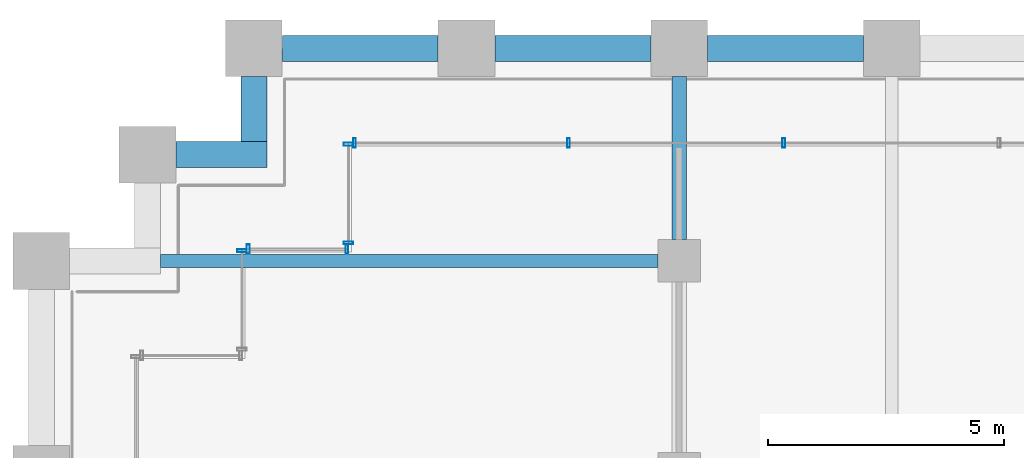
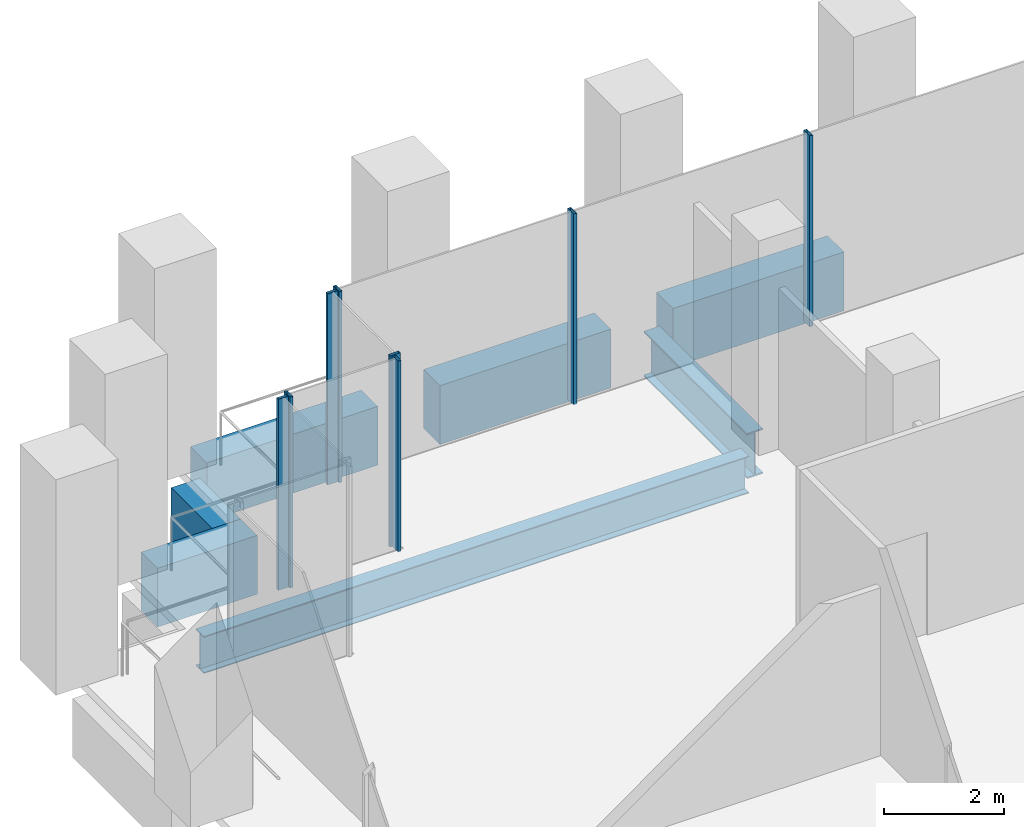
# One storey, part 14 of 36: 8 members, 7 beams, 4 elements without a shape of their own.
"""IFC4 building model written with IfcOpenShell, lengths in metres."""

from ifc_helpers import new_model, si_unit, direction, frame, origin, origin_2d, place, context, subcontext, project, spatial, rectangle, hollow_rectangle, i_section, extrude, material, material_profile, profile_set, type_object, element, aggregate, save


model = new_model("IFC4")

# Units and contexts
model_context = context("Model", 3, precision=1e-05, world=origin(), true_north=direction((0.0, 1.0)))
body_context = subcontext(model_context, "Body", "Model", "MODEL_VIEW")
ifc_project = project(units=[si_unit("LENGTHUNIT", "METRE"), si_unit("AREAUNIT", "SQUARE_METRE"), si_unit("VOLUMEUNIT", "CUBIC_METRE"), si_unit("PLANEANGLEUNIT", "RADIAN"), si_unit("MASSUNIT", "GRAM", prefix="KILO")], contexts=[model_context])

# Site, building, storey
site_placement = place(None, origin())
site = spatial("IfcSite", under=ifc_project, at=site_placement, CompositionType="ELEMENT")
building_placement = place(site_placement, origin())
building = spatial("IfcBuilding", under=site, at=building_placement, Name="Altepetl Exchange Towers", CompositionType="ELEMENT")
storey_placement = place(building_placement, frame((0.0, 0.0, 29.800048828125)))
storey = spatial("IfcBuildingStorey", under=building, at=storey_placement, Name="L06", CompositionType="ELEMENT", Elevation=29.800048828125)

# Beams
ifc_material_1 = material(Name="Steel S355", Category="steel")
ifc_material_profile_1 = material_profile(ifc_material_1, i_section(OverallWidth=0.26611328125, OverallDepth=0.758056640625, WebThickness=0.013916015625, FlangeThickness=0.019287109375, at=origin_2d()), Name="W30X108")
ifc_profile_set_1 = profile_set([ifc_material_profile_1], Name="Steel S355")
beam_type_1 = type_object("IfcBeamType", Name="Floor beam W30X108", PredefinedType="BEAM", material=ifc_profile_set_1)
beam_1_placement = place(storey_placement, frame((29.52490234375, 67.5, -0.553955078125), z_axis=(1.0, 0.0, 0.0), x_axis=(0.0, 1.0, 0.0)))
element("IfcBeam", 1, at=beam_1_placement, inside=storey, type_object=beam_type_1, Name="bm:A:L06:023", PredefinedType="BEAM", context=body_context, shape_type="SweptSolid", body=[
    extrude(i_section(OverallWidth=0.26611328125, OverallDepth=0.758056640625, WebThickness=0.013916015625, FlangeThickness=0.019287109375, at=origin_2d()), origin(), (0.0, 0.0, 1.0), 10.525146484375),
])
ifc_material_profile_2 = material_profile(ifc_material_1, i_section(OverallWidth=0.306884765625, OverallDepth=0.923095703125, WebThickness=0.018310546875, FlangeThickness=0.030029296875, at=origin_2d()), Name="W36X182")
ifc_profile_set_2 = profile_set([ifc_material_profile_2], Name="Steel S355")
beam_type_2 = type_object("IfcBeamType", Name="Girder W36X182", PredefinedType="BEAM", material=ifc_profile_set_2)
beam_2_placement = place(storey_placement, frame((40.5, 71.39990234375, -0.636474609375), z_axis=(0.0, -1.0, 0.0), x_axis=(1.0, 0.0, 0.0)))
element("IfcBeam", 2, at=beam_2_placement, inside=storey, type_object=beam_type_2, Name="gd:A:L06:003", PredefinedType="BEAM", context=body_context, shape_type="SweptSolid", body=[
    extrude(i_section(OverallWidth=0.306884765625, OverallDepth=0.923095703125, WebThickness=0.018310546875, FlangeThickness=0.030029296875, at=origin_2d()), origin(), (0.0, 0.0, 1.0), 3.449951171875),
])

# Curtain wall, members
ifc_material_2 = material(Name="Aluminium 6063-T6 glazing", Category="aluminium")
curtain_wall_type = type_object("IfcCurtainWallType", Name="Trading floor glazing system", PredefinedType="NOTDEFINED", material=ifc_material_2)
curtain_wall_1_placement = place(storey_placement, origin())
curtain_wall_1 = element("IfcCurtainWall", 3, at=curtain_wall_1_placement, inside=storey, type_object=curtain_wall_type, Name="CW2 run", PredefinedType="NOTDEFINED")
ifc_material_3 = material(Name="Aluminium 6063-T6", Category="aluminium")
ifc_material_profile_3 = material_profile(ifc_material_3, hollow_rectangle(XDim=0.06005859375, YDim=0.199951171875, WallThickness=0.0029296875, at=origin_2d()), Name="Mullion 60x200 aluminium")
ifc_profile_set_3 = profile_set([ifc_material_profile_3], Name="Aluminium 6063-T6")
member_type = type_object("IfcMemberType", Name="Mullion 60x200 aluminium", PredefinedType="MULLION", material=ifc_profile_set_3)
member_1_placement = place(storey_placement, frame((42.71435546875, 70.0, 0.0), z_axis=(0.0, 0.0, 1.0), x_axis=(-1.0, 0.0, 0.0)))
member_1 = element("IfcMember", 4, at=member_1_placement, type_object=member_type, Name="MU2 mullion", PredefinedType="MULLION", context=body_context, shape_type="SweptSolid", body=[
    extrude(hollow_rectangle(XDim=0.06005859375, YDim=0.199951171875, WallThickness=0.0029296875, at=origin_2d()), origin(), (0.0, 0.0, 1.0), 3.89990234375),
])
member_2_placement = place(storey_placement, frame((38.1572265625, 70.0, 0.0), z_axis=(0.0, 0.0, 1.0), x_axis=(-1.0, 0.0, 0.0)))
member_2 = element("IfcMember", 5, at=member_2_placement, type_object=member_type, Name="MU2 mullion", PredefinedType="MULLION", context=body_context, shape_type="SweptSolid", body=[
    extrude(hollow_rectangle(XDim=0.06005859375, YDim=0.199951171875, WallThickness=0.0029296875, at=origin_2d()), origin(), (0.0, 0.0, 1.0), 3.89990234375),
])
member_3_placement = place(storey_placement, frame((33.6298828125, 70.0, 0.0), z_axis=(0.0, 0.0, 1.0), x_axis=(-1.0, 0.0, 0.0)))
member_3 = element("IfcMember", 6, at=member_3_placement, type_object=member_type, Name="MU2 mullion", PredefinedType="MULLION", context=body_context, shape_type="SweptSolid", body=[
    extrude(hollow_rectangle(XDim=0.06005859375, YDim=0.199951171875, WallThickness=0.0029296875, at=origin_2d()), origin(), (0.0, 0.0, 1.0), 3.89990234375),
])
aggregate(curtain_wall_1, [member_1, member_2, member_3])

curtain_wall_2_placement = place(storey_placement, origin())
curtain_wall_2 = element("IfcCurtainWall", 7, at=curtain_wall_2_placement, inside=storey, type_object=curtain_wall_type, Name="CW2 run", PredefinedType="NOTDEFINED")
member_4_placement = place(storey_placement, frame((33.5, 69.969970703125, 0.0), z_axis=(0.0, 0.0, 1.0), x_axis=(0.0, -1.0, 0.0)))
member_4 = element("IfcMember", 8, at=member_4_placement, type_object=member_type, Name="MU2 mullion", PredefinedType="MULLION", context=body_context, shape_type="SweptSolid", body=[
    extrude(hollow_rectangle(XDim=0.06005859375, YDim=0.199951171875, WallThickness=0.0029296875, at=origin_2d()), origin(), (0.0, 0.0, 1.0), 3.89990234375),
])
member_5_placement = place(storey_placement, frame((33.5, 67.8798828125, 0.0), z_axis=(0.0, 0.0, 1.0), x_axis=(0.0, -1.0, 0.0)))
member_5 = element("IfcMember", 9, at=member_5_placement, type_object=member_type, Name="MU2 mullion", PredefinedType="MULLION", context=body_context, shape_type="SweptSolid", body=[
    extrude(hollow_rectangle(XDim=0.06005859375, YDim=0.199951171875, WallThickness=0.0029296875, at=origin_2d()), origin(), (0.0, 0.0, 1.0), 3.89990234375),
])
aggregate(curtain_wall_2, [member_4, member_5])

curtain_wall_3_placement = place(storey_placement, origin())
curtain_wall_3 = element("IfcCurtainWall", 10, at=curtain_wall_3_placement, inside=storey, type_object=curtain_wall_type, Name="CW2 run", PredefinedType="NOTDEFINED")
member_6_placement = place(storey_placement, frame((33.469970703125, 67.75, 0.0), z_axis=(0.0, 0.0, 1.0), x_axis=(-1.0, 0.0, 0.0)))
member_6 = element("IfcMember", 11, at=member_6_placement, type_object=member_type, Name="MU2 mullion", PredefinedType="MULLION", context=body_context, shape_type="SweptSolid", body=[
    extrude(hollow_rectangle(XDim=0.06005859375, YDim=0.199951171875, WallThickness=0.0029296875, at=origin_2d()), origin(), (0.0, 0.0, 1.0), 3.89990234375),
])
member_7_placement = place(storey_placement, frame((31.3798828125, 67.75, 0.0), z_axis=(0.0, 0.0, 1.0), x_axis=(-1.0, 0.0, 0.0)))
member_7 = element("IfcMember", 12, at=member_7_placement, type_object=member_type, Name="MU2 mullion", PredefinedType="MULLION", context=body_context, shape_type="SweptSolid", body=[
    extrude(hollow_rectangle(XDim=0.06005859375, YDim=0.199951171875, WallThickness=0.0029296875, at=origin_2d()), origin(), (0.0, 0.0, 1.0), 3.89990234375),
])
aggregate(curtain_wall_3, [member_6, member_7])

# Curtain wall, member
curtain_wall_4_placement = place(storey_placement, origin())
curtain_wall_4 = element("IfcCurtainWall", 13, at=curtain_wall_4_placement, inside=storey, type_object=curtain_wall_type, Name="CW2 run", PredefinedType="NOTDEFINED")
member_8_placement = place(storey_placement, frame((31.25, 67.719970703125, 0.0), z_axis=(0.0, 0.0, 1.0), x_axis=(0.0, -1.0, 0.0)))
member_8 = element("IfcMember", 14, at=member_8_placement, type_object=member_type, Name="MU2 mullion", PredefinedType="MULLION", context=body_context, shape_type="SweptSolid", body=[
    extrude(hollow_rectangle(XDim=0.06005859375, YDim=0.199951171875, WallThickness=0.0029296875, at=origin_2d()), origin(), (0.0, 0.0, 1.0), 3.89990234375),
])
aggregate(curtain_wall_4, [member_8])

# Beams
ifc_material_4 = material(Name="Concrete C50/60 precast with cantera rosa facing", Category="concrete")
ifc_material_profile_4 = material_profile(ifc_material_4, rectangle(XDim=0.550048828125, YDim=1.199951171875, at=origin_2d()), Name="550 x 1200")
ifc_profile_set_4 = profile_set([ifc_material_profile_4], Name="Concrete C50/60 precast with cantera rosa facing")
beam_type_3 = type_object("IfcBeamType", Name="Spandrel beam 550x1200 cantera rosa", PredefinedType="SPANDREL", material=ifc_profile_set_4)
beam_3_placement = place(storey_placement, frame((44.39990234375, 72.0, -0.775146484375), z_axis=(-1.0, 0.0, 0.0), x_axis=(0.0, -1.0, 0.0)))
element("IfcBeam", 15, at=beam_3_placement, inside=storey, type_object=beam_type_3, Name="sp:A:L06:029", PredefinedType="SPANDREL", context=body_context, shape_type="SweptSolid", body=[
    extrude(rectangle(XDim=0.550048828125, YDim=1.199951171875, at=origin_2d()), origin(), (0.0, 0.0, 1.0), 3.2998046875),
])
ifc_material_5 = material(Name="Concrete C50/60 precast with tezontle facing", Category="concrete")
ifc_material_profile_5 = material_profile(ifc_material_5, rectangle(XDim=0.550048828125, YDim=1.199951171875, at=origin_2d()), Name="550 x 1200")
ifc_profile_set_5 = profile_set([ifc_material_profile_5], Name="Concrete C50/60 precast with tezontle facing")
beam_type_4 = type_object("IfcBeamType", Name="Spandrel beam 550x1200 tezontle", PredefinedType="SPANDREL", material=ifc_profile_set_5)
for number, where, z_axis, x_axis, name in (
    (16, (39.89990234375, 72.0, -0.775146484375), (-1.0, 0.0, 0.0), (0.0, -1.0, 0.0), "sp:A:L06:030"),
    (17, (35.39990234375, 72.0, -0.775146484375), (-1.0, 0.0, 0.0), (0.0, -1.0, 0.0), "sp:A:L06:031"),
):
    element("IfcBeam", number, at=place(storey_placement, frame(where, z_axis=z_axis, x_axis=x_axis)), inside=storey, type_object=beam_type_4, Name=name, PredefinedType="SPANDREL", context=body_context, shape_type="SweptSolid", body=[
        extrude(rectangle(XDim=0.550048828125, YDim=1.199951171875, at=origin_2d()), origin(), (0.0, 0.0, 1.0), 3.2998046875),
    ])
beam_4_placement = place(storey_placement, frame((31.5, 71.39990234375, -0.775146484375), z_axis=(0.0, -1.0, 0.0), x_axis=(1.0, 0.0, 0.0)))
element("IfcBeam", 18, at=beam_4_placement, inside=storey, type_object=beam_type_4, Name="sp:A:L06:032", PredefinedType="SPANDREL", context=body_context, shape_type="SweptSolid", body=[
    extrude(rectangle(XDim=0.550048828125, YDim=1.199951171875, at=origin_2d()), origin(), (0.0, 0.0, 1.0), 1.375),
])
beam_5_placement = place(storey_placement, frame((31.77490234375, 69.75, -0.775146484375), z_axis=(-1.0, 0.0, 0.0), x_axis=(0.0, -1.0, 0.0)))
element("IfcBeam", 19, at=beam_5_placement, inside=storey, type_object=beam_type_4, Name="sp:A:L06:033", PredefinedType="SPANDREL", context=body_context, shape_type="SweptSolid", body=[
    extrude(rectangle(XDim=0.550048828125, YDim=1.199951171875, at=origin_2d()), origin(), (0.0, 0.0, 1.0), 1.9248046875),
])

save(model, "model.ifc")
